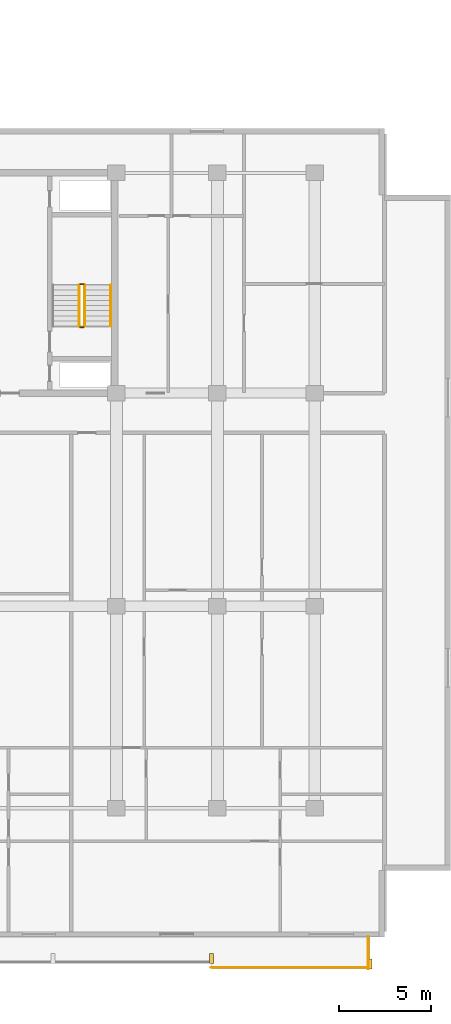
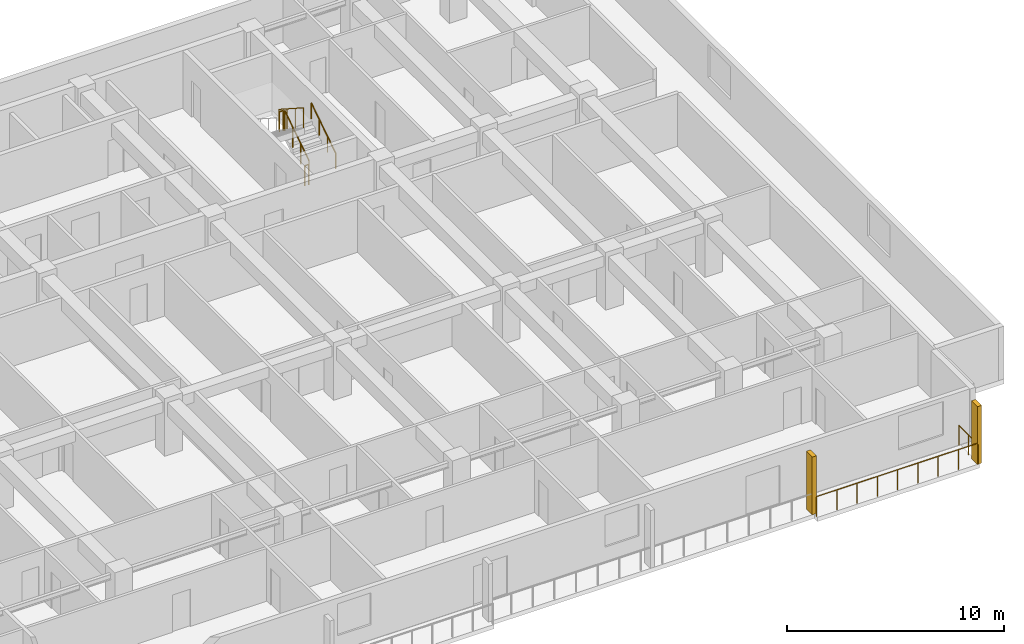
# One storey, part 21 of 23: 7 railings, 2 shading devices.
"""IFC4 building model written with IfcOpenShell, lengths in metres."""

import ifcopenshell
import ifcopenshell.guid

model = None  # the IFC model being written
_history = None  # IfcOwnerHistory: only IFC2X3 demands one
_inside = {}  # id of a spatial element -> (the spatial element, [elements in it])
_under = {}  # id of a project, library or spatial element -> (it, [spatial elements below it])
_declared = {}  # id of a project -> (the project, [libraries it declares])
_typed = {}  # id of a type object -> (the type object, [elements of that type])
_made_of = {}  # id of a material, layer set ... -> (it, [elements and type objects made of it])


def new_model(schema):
    """Start an empty IFC model of exactly this schema.

    Asked for "IFC4X3", IfcOpenShell would pick the latest addendum, in which some entities
    have other attributes; the version numbers below select the first issue.
    IFC2X3 requires an IfcOwnerHistory on every rooted entity: one is made here for all.
    """
    global model, _history
    if schema == "IFC4X3":
        model = ifcopenshell.file(schema_version=(4, 3, 0, 0))
    else:
        model = ifcopenshell.file(schema=schema)
    _inside.clear()
    _under.clear()
    _declared.clear()
    _typed.clear()
    _made_of.clear()
    _history = None
    if model.schema == "IFC2X3":
        org = make("IfcOrganization", Name="unknown")
        user = make(
            "IfcPersonAndOrganization",
            ThePerson=make("IfcPerson", FamilyName="unknown"),
            TheOrganization=org,
        )
        app = make(
            "IfcApplication",
            ApplicationDeveloper=org,
            Version="unknown",
            ApplicationFullName="unknown",
            ApplicationIdentifier="unknown",
        )
        _history = make(
            "IfcOwnerHistory",
            OwningUser=user,
            OwningApplication=app,
            ChangeAction="ADDED",
            CreationDate=0,
        )
    return model


def make(cls, **values):
    """One entity of the class cls with the attributes given. An attribute that is None is left unset."""
    return model.create_entity(
        cls, **{name: value for name, value in values.items() if value is not None}
    )


def rooted(cls, **values):
    """An entity with a GlobalId (a new one), such as an element, a storey or a relation."""
    return make(cls, GlobalId=ifcopenshell.guid.new(), OwnerHistory=_history, **values)


def si_unit(unit_type, name, prefix=None):
    """IfcSIUnit, for example si_unit("LENGTHUNIT", "METRE", prefix="MILLI")."""
    return make("IfcSIUnit", UnitType=unit_type, Prefix=prefix, Name=name)


def assignment(units):
    """IfcUnitAssignment: the units of a project."""
    return None if units is None else make("IfcUnitAssignment", Units=units)


def point(xyz):
    """IfcCartesianPoint."""
    return None if xyz is None else make("IfcCartesianPoint", Coordinates=xyz)


def direction(xyz):
    """IfcDirection."""
    return None if xyz is None else make("IfcDirection", DirectionRatios=xyz)


def frame(location, z_axis=None, x_axis=None):
    """IfcAxis2Placement3D, a coordinate frame: its origin and axes. An axis left out is left unset."""
    return make(
        "IfcAxis2Placement3D",
        Location=point(location),
        Axis=direction(z_axis),
        RefDirection=direction(x_axis),
    )


def frame_2d(location, x_axis=None):
    """IfcAxis2Placement2D, a coordinate frame in the plane: its origin and x axis."""
    return make(
        "IfcAxis2Placement2D", Location=point(location), RefDirection=direction(x_axis)
    )


def origin():
    """The frame at (0, 0, 0) with its axes left unset."""
    return frame((0.0, 0.0, 0.0))


def origin_2d():
    """The frame at (0, 0) in the plane with its x axis left unset."""
    return frame_2d((0.0, 0.0))


def place(relative_to, where):
    """IfcLocalPlacement: puts the frame where relative to a parent placement (None: the world)."""
    return make(
        "IfcLocalPlacement", PlacementRelTo=relative_to, RelativePlacement=where
    )


def context(
    kind, dimensions, precision=None, world=None, true_north=None, identifier=None
):
    """IfcGeometricRepresentationContext, for example the 3D "Model" context."""
    return make(
        "IfcGeometricRepresentationContext",
        ContextIdentifier=identifier,
        ContextType=kind,
        CoordinateSpaceDimension=dimensions,
        Precision=precision,
        WorldCoordinateSystem=world,
        TrueNorth=true_north,
    )


def subcontext(parent, identifier, kind, view, scale=None):
    """IfcGeometricRepresentationSubContext, for example "Body" below "Model"."""
    return make(
        "IfcGeometricRepresentationSubContext",
        ContextIdentifier=identifier,
        ContextType=kind,
        ParentContext=parent,
        TargetScale=scale,
        TargetView=view,
    )


def project(units=None, contexts=None):
    """IfcProject with its units and contexts."""
    return rooted(
        "IfcProject",
        Name="project",
        RepresentationContexts=contexts,
        UnitsInContext=assignment(units),
    )


def spatial(cls, under=None, at=None, **own):
    """A site, building, storey or space (cls), placed at a placement, below another one or the project."""
    s = rooted(cls, ObjectPlacement=at, **own)
    if under is not None:
        _under.setdefault(under.id(), (under, []))[1].append(s)
    return s


def profile(cls, at=None, kind="AREA", **sizes):
    """A parametric profile (cls). Its sizes go by their IFC names, for example OverallWidth=200.0."""
    return make(cls, ProfileType=kind, Position=at, **sizes)


def rectangle(**sizes):
    """IfcRectangleProfileDef."""
    return profile("IfcRectangleProfileDef", **sizes)


def circle(**sizes):
    """IfcCircleProfileDef."""
    return profile("IfcCircleProfileDef", **sizes)


def extrude(swept, where, along, depth):
    """IfcExtrudedAreaSolid: the profile swept, set in the frame where, extruded along a direction by depth."""
    return make(
        "IfcExtrudedAreaSolid",
        SweptArea=swept,
        Position=where,
        ExtrudedDirection=direction(along),
        Depth=depth,
    )


def shape(context_of_items, identifier, shape_type, items):
    """IfcShapeRepresentation: the items that make up one representation, for example the "Body"."""
    return make(
        "IfcShapeRepresentation",
        ContextOfItems=context_of_items,
        RepresentationIdentifier=identifier,
        RepresentationType=shape_type,
        Items=items,
    )


def material(Name=None, Category=None):
    """IfcMaterial."""
    return make("IfcMaterial", Name=Name, Category=Category)


def made_of(thing, what):
    """Note that an element or type object is made of a material, layer set ...; save() writes the relation."""
    if what is not None:
        _made_of.setdefault(what.id(), (what, []))[1].append(thing)
    return thing


def type_object(cls, material=None, **own):
    """A type object (cls), such as IfcWallType, which elements share."""
    return made_of(rooted(cls, **own), material)


def element(
    cls,
    number,
    at=None,
    inside=None,
    cuts=None,
    type_object=None,
    material=None,
    context=None,
    identifier="Body",
    shape_type=None,
    held_by="IfcProductDefinitionShape",
    body=None,
    shapes=None,
    **own,
):
    """One element of the class cls, such as IfcWall. Its Tag is "e" and its number.

    at: its placement. inside: the storey or other place that contains it. cuts: it is an
    opening in that element (IfcRelVoidsElement). A single representation is given by context,
    identifier, shape_type and body (its items); several are given by shapes. held_by: the class
    of the entity that holds the representations. save() writes the other relations.
    """
    e = rooted(cls, Tag="e%d" % number, ObjectPlacement=at, **own)
    if body is not None:
        shapes = [shape(context, identifier, shape_type, body)]
    if shapes is not None:
        e.Representation = make(held_by, Representations=shapes)
    if inside is not None:
        _inside.setdefault(inside.id(), (inside, []))[1].append(e)
    if cuts is not None:
        rooted(
            "IfcRelVoidsElement", RelatingBuildingElement=cuts, RelatedOpeningElement=e
        )
    if type_object is not None:
        _typed.setdefault(type_object.id(), (type_object, []))[1].append(e)
    return made_of(e, material)


def aggregate(whole, parts):
    """IfcRelAggregates: a whole, such as a stair, and the parts it consists of."""
    return rooted("IfcRelAggregates", RelatingObject=whole, RelatedObjects=parts)


def save(model, path):
    """Write the relations noted so far, then the file.

    IfcRelAggregates (storeys below a building ...), IfcRelContainedInSpatialStructure (elements
    in a storey), IfcRelDefinesByType, IfcRelAssociatesMaterial and IfcRelDeclares: one each for
    every whole, place, type object, material and project.
    """
    for whole, parts in _under.values():
        aggregate(whole, parts)
    for where, things in _inside.values():
        rooted(
            "IfcRelContainedInSpatialStructure",
            RelatedElements=things,
            RelatingStructure=where,
        )
    for kind, things in _typed.values():
        rooted("IfcRelDefinesByType", RelatedObjects=things, RelatingType=kind)
    for what, things in _made_of.values():
        rooted("IfcRelAssociatesMaterial", RelatedObjects=things, RelatingMaterial=what)
    for by, libraries in _declared.values():
        rooted("IfcRelDeclares", RelatingContext=by, RelatedDefinitions=libraries)
    model.write(path)


model = new_model("IFC4")

# Units and contexts
model_context = context("Model", 3, precision=1e-05, world=origin(), true_north=direction((0.0, 1.0)))
body_context = subcontext(model_context, "Body", "Model", "MODEL_VIEW")
ifc_project = project(units=[si_unit("LENGTHUNIT", "METRE"), si_unit("AREAUNIT", "SQUARE_METRE"), si_unit("VOLUMEUNIT", "CUBIC_METRE"), si_unit("PLANEANGLEUNIT", "RADIAN"), si_unit("MASSUNIT", "GRAM", prefix="KILO")], contexts=[model_context])

# Site, building, storey
site_placement = place(None, origin())
site = spatial("IfcSite", under=ifc_project, at=site_placement, CompositionType="ELEMENT")
building_placement = place(site_placement, origin())
building = spatial("IfcBuilding", under=site, at=building_placement, Name="Korimba Cascade Residences", CompositionType="ELEMENT")
storey_placement = place(building_placement, frame((0.0, 0.0, 37.0)))
storey = spatial("IfcBuildingStorey", under=building, at=storey_placement, Name="L09", CompositionType="ELEMENT", Elevation=37.0)

# Railings
ifc_material_1 = material(Name="Laminated Glass and Bronze Balustrade", Category="glass")
railing_type_1 = type_object("IfcRailingType", Name="RLG-LOG-1150", PredefinedType="BALUSTRADE", material=ifc_material_1)
railing_1_placement = place(storey_placement, frame((123.271484375, -12.8701171875, 0.0)))
element("IfcRailing", 1, at=railing_1_placement, inside=storey, type_object=railing_type_1, Name="L09 Perimeter Guardrail RLG-L09-T2-LOG-06", PredefinedType="BALUSTRADE", context=body_context, shape_type="SweptSolid", body=[
    extrude(circle(Radius=0.02392578125, at=origin_2d()), frame((0.0, 0.0, 1.1259765625), z_axis=(1.0, 0.0, 0.0), x_axis=(0.0, 1.0, 0.0)), (0.0, 0.0, 1.0), 8.62841796875),
    extrude(circle(Radius=0.02099609375, at=origin_2d()), origin(), (0.0, 0.0, 1.0), 1.101806640625),
    extrude(circle(Radius=0.02099609375, at=origin_2d()), frame((1.07861328125, 0.0, 0.0)), (0.0, 0.0, 1.0), 1.101806640625),
    extrude(circle(Radius=0.02099609375, at=origin_2d()), frame((2.1572265625, 0.0, 0.0)), (0.0, 0.0, 1.0), 1.101806640625),
    extrude(circle(Radius=0.02099609375, at=origin_2d()), frame((3.235595703125, 0.0, 0.0)), (0.0, 0.0, 1.0), 1.101806640625),
    extrude(circle(Radius=0.02099609375, at=origin_2d()), frame((4.314208984375, 0.0, 0.0)), (0.0, 0.0, 1.0), 1.101806640625),
    extrude(circle(Radius=0.02099609375, at=origin_2d()), frame((5.392822265625, 0.0, 0.0)), (0.0, 0.0, 1.0), 1.101806640625),
    extrude(circle(Radius=0.02099609375, at=origin_2d()), frame((6.47119140625, 0.0, 0.0)), (0.0, 0.0, 1.0), 1.101806640625),
    extrude(circle(Radius=0.02099609375, at=origin_2d()), frame((7.5498046875, 0.0, 0.0)), (0.0, 0.0, 1.0), 1.101806640625),
    extrude(circle(Radius=0.02099609375, at=origin_2d()), frame((8.62841796875, 0.0, 0.0)), (0.0, 0.0, 1.0), 1.101806640625),
])
railing_2_placement = place(storey_placement, frame((131.820068359375, -12.949951171875, 0.0)))
element("IfcRailing", 2, at=railing_2_placement, inside=storey, type_object=railing_type_1, Name="L09 Perimeter Guardrail RLG-L09-T2-LOG-07", PredefinedType="BALUSTRADE", context=body_context, shape_type="SweptSolid", body=[
    extrude(circle(Radius=0.02392578125, at=origin_2d()), frame((0.0, 0.0, 1.1259765625), z_axis=(0.0, 1.0, 0.0), x_axis=(-1.0, 0.0, 0.0)), (0.0, 0.0, 1.0), 1.75),
    extrude(circle(Radius=0.02099609375, at=origin_2d()), origin(), (0.0, 0.0, 1.0), 1.101806640625),
    extrude(circle(Radius=0.02099609375, at=origin_2d()), frame((0.0, 0.875, 0.0)), (0.0, 0.0, 1.0), 1.101806640625),
    extrude(circle(Radius=0.02099609375, at=origin_2d()), frame((0.0, 1.75, 0.0)), (0.0, 0.0, 1.0), 1.101806640625),
])
ifc_material_2 = material(Name="Painted Steel Stairwell Guardrail", Category="steel")
railing_type_2 = type_object("IfcRailingType", Name="RLG-ST-GD1150", PredefinedType="GUARDRAIL", material=ifc_material_2)
railing_3_placement = place(storey_placement, frame((116.3701171875, 22.050048828125, 0.1806640625)))
element("IfcRailing", 3, at=railing_3_placement, inside=storey, type_object=railing_type_2, Name="L09 ST-E2 stair guard 1", PredefinedType="GUARDRAIL", context=body_context, shape_type="SweptSolid", body=[
    extrude(circle(Radius=0.02392578125, at=origin_2d()), frame((0.0, 0.0, 1.1259765625), z_axis=(0.0, 0.840436612492, 0.541909863706), x_axis=(-1.0, 0.0, 0.0)), (0.0, 0.0, 1.0), 2.665283203125),
    extrude(circle(Radius=0.02099609375, at=origin_2d()), origin(), (0.0, 0.0, 1.0), 1.101806640625),
    extrude(circle(Radius=0.02099609375, at=origin_2d()), frame((0.0, 0.74658203125, 0.4814453125)), (0.0, 0.0, 1.0), 1.101806640625),
    extrude(circle(Radius=0.02099609375, at=origin_2d()), frame((0.0, 1.493408203125, 0.962890625)), (0.0, 0.0, 1.0), 1.101806640625),
    extrude(circle(Radius=0.02099609375, at=origin_2d()), frame((0.0, 2.239990234375, 1.4443359375)), (0.0, 0.0, 1.0), 1.101806640625),
])
railing_4_placement = place(storey_placement, frame((116.320068359375, 24.340087890625, 1.625)))
element("IfcRailing", 4, at=railing_4_placement, inside=storey, type_object=railing_type_2, Name="L09 ST-E2 stair guard 2", PredefinedType="GUARDRAIL", context=body_context, shape_type="SweptSolid", body=[
    extrude(circle(Radius=0.02392578125, at=origin_2d()), frame((0.0, 0.0, 1.1259765625), z_axis=(-1.0, 0.0, 0.0), x_axis=(0.0, -1.0, 0.0)), (0.0, 0.0, 1.0), 0.199951171875),
    extrude(circle(Radius=0.02099609375, at=origin_2d()), origin(), (0.0, 0.0, 1.0), 1.101806640625),
    extrude(circle(Radius=0.02099609375, at=origin_2d()), frame((-0.199951171875, 0.0, 0.0)), (0.0, 0.0, 1.0), 1.101806640625),
])
railing_5_placement = place(storey_placement, frame((116.070068359375, 24.2900390625, 1.8056640625)))
element("IfcRailing", 5, at=railing_5_placement, inside=storey, type_object=railing_type_2, Name="L09 ST-E2 stair guard 3", PredefinedType="GUARDRAIL", context=body_context, shape_type="SweptSolid", body=[
    extrude(circle(Radius=0.02392578125, at=origin_2d()), frame((0.0, 0.0, 1.1259765625), z_axis=(0.0, -0.840436612492, 0.541909863706), x_axis=(1.0, 0.0, 0.0)), (0.0, 0.0, 1.0), 2.665283203125),
    extrude(circle(Radius=0.02099609375, at=origin_2d()), origin(), (0.0, 0.0, 1.0), 1.101806640625),
    extrude(circle(Radius=0.02099609375, at=origin_2d()), frame((0.0, -0.74658203125, 0.4814453125)), (0.0, 0.0, 1.0), 1.101806640625),
    extrude(circle(Radius=0.02099609375, at=origin_2d()), frame((0.0, -1.493408203125, 0.962890625)), (0.0, 0.0, 1.0), 1.101806640625),
    extrude(circle(Radius=0.02099609375, at=origin_2d()), frame((0.0, -2.239990234375, 1.4443359375)), (0.0, 0.0, 1.0), 1.101806640625),
])
railing_6_placement = place(storey_placement, frame((116.320068359375, 22.0, 0.0)))
element("IfcRailing", 6, at=railing_6_placement, inside=storey, type_object=railing_type_2, Name="L09 ST-E2 stair guard 4", PredefinedType="GUARDRAIL", context=body_context, shape_type="SweptSolid", body=[
    extrude(circle(Radius=0.02392578125, at=origin_2d()), frame((0.0, 0.0, 1.1259765625), z_axis=(-1.0, 0.0, 0.0), x_axis=(0.0, -1.0, 0.0)), (0.0, 0.0, 1.0), 0.199951171875),
    extrude(circle(Radius=0.02099609375, at=origin_2d()), origin(), (0.0, 0.0, 1.0), 1.101806640625),
    extrude(circle(Radius=0.02099609375, at=origin_2d()), frame((-0.199951171875, 0.0, 0.0)), (0.0, 0.0, 1.0), 1.101806640625),
])
ifc_material_3 = material(Name="Brushed Stainless Steel Handrail", Category="steel")
railing_type_3 = type_object("IfcRailingType", Name="RLG-ST-HR900", PredefinedType="HANDRAIL", material=ifc_material_3)
railing_7_placement = place(storey_placement, frame((117.7900390625, 22.050048828125, 0.364990234375)))
element("IfcRailing", 7, at=railing_7_placement, inside=storey, type_object=railing_type_3, Name="L09 ST-E2 stair handrail 1", PredefinedType="HANDRAIL", context=body_context, shape_type="SweptSolid", body=[
    extrude(circle(Radius=0.02392578125, at=origin_2d()), frame((0.0, 0.0, 0.8759765625), z_axis=(0.0, 0.840436612492, 0.541909863706), x_axis=(-1.0, 0.0, 0.0)), (0.0, 0.0, 1.0), 2.665283203125),
    extrude(circle(Radius=0.02099609375, at=origin_2d()), origin(), (0.0, 0.0, 1.0), 0.851806640625),
    extrude(circle(Radius=0.02099609375, at=origin_2d()), frame((0.0, 0.74658203125, 0.4814453125)), (0.0, 0.0, 1.0), 0.851806640625),
    extrude(circle(Radius=0.02099609375, at=origin_2d()), frame((0.0, 1.493408203125, 0.962890625)), (0.0, 0.0, 1.0), 0.851806640625),
    extrude(circle(Radius=0.02099609375, at=origin_2d()), frame((0.0, 2.239990234375, 1.4443359375)), (0.0, 0.0, 1.0), 0.851806640625),
])

# Shading devices
ifc_material_4 = material(Name="Honed Sandstone Precast Fin", Category="masonry")
shading_device_type = type_object("IfcShadingDeviceType", Name="SHD-FIN-550", PredefinedType="USERDEFINED", material=ifc_material_4)
for number, where, z_axis, x_axis, name in (
    (8, (123.271484375, -12.375, 0.0), (0.0, 0.0, 1.0), (1.0, 0.0, 0.0), "L09 T2 Warm-Stone Loggia Fin 7"),
    (9, (131.89990234375, -12.675048828125, 0.0), (0.0, 0.0, 1.0), (1.0, 0.0, 0.0), "L09 T2 Warm-Stone Loggia Fin 8"),
):
    element("IfcShadingDevice", number, at=place(storey_placement, frame(where, z_axis=z_axis, x_axis=x_axis)), inside=storey, type_object=shading_device_type, Name=name, ObjectType="FIN", PredefinedType="USERDEFINED", context=body_context, shape_type="SweptSolid", body=[
        extrude(rectangle(XDim=0.219970703125, YDim=0.550048828125, at=origin_2d()), origin(), (0.0, 0.0, 1.0), 3.25),
    ])

save(model, "model.ifc")
